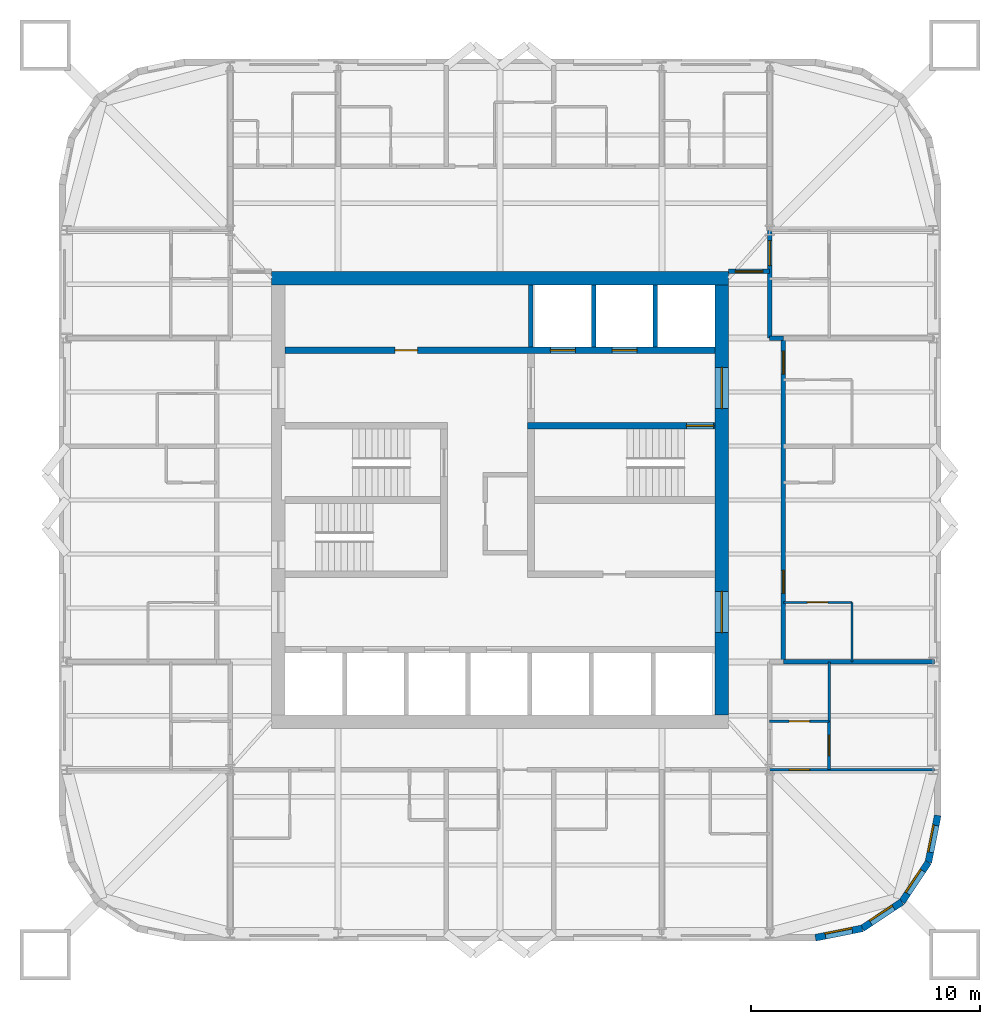
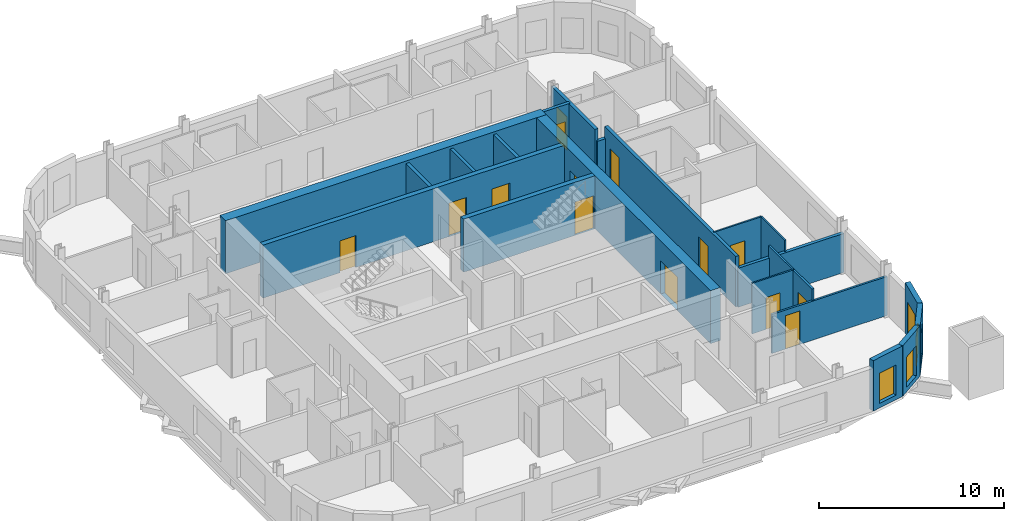
# One storey, part 5 of 9: 22 walls, 14 doors, 4 windows, 18 openings.
"""IFC4 building model written with IfcOpenShell, lengths in metres."""

from ifc_helpers import new_model, si_unit, direction, frame, frame_2d, origin, place, context, subcontext, project, spatial, rectangle, extrude, material, layer, layer_set, type_object, element, fill, save


model = new_model("IFC4")

# Units and contexts
model_context = context("Model", 3, precision=1e-05, world=origin(), true_north=direction((0.0, 1.0)))
body_context = subcontext(model_context, "Body", "Model", "MODEL_VIEW")
ifc_project = project(units=[si_unit("LENGTHUNIT", "METRE"), si_unit("AREAUNIT", "SQUARE_METRE"), si_unit("VOLUMEUNIT", "CUBIC_METRE"), si_unit("PLANEANGLEUNIT", "RADIAN"), si_unit("MASSUNIT", "GRAM", prefix="KILO")], contexts=[model_context])

# Site, building, storey
site_placement = place(None, origin())
site = spatial("IfcSite", under=ifc_project, at=site_placement, CompositionType="ELEMENT")
building_placement = place(site_placement, origin())
building = spatial("IfcBuilding", under=site, at=building_placement, Name="Turquesa Mirador Hotel Tower", CompositionType="ELEMENT")
storey_placement = place(building_placement, frame((0.0, 0.0, 189.800048828125)))
storey = spatial("IfcBuildingStorey", under=building, at=storey_placement, Name="L51", CompositionType="ELEMENT", Elevation=189.800048828125)

# Wall, opening, door
ifc_material_1 = material(Name="Gypsum board on steel studs", Category="steel")
ifc_layer_1 = layer(ifc_material_1, 0.10009765625)
ifc_layer_set_1 = layer_set([ifc_layer_1], Name="BATHROOM WALL 100")
wall_type_1 = type_object("IfcWallType", Name="BATHROOM WALL 100", PredefinedType="PARTITIONING", material=ifc_layer_set_1)
wall_1_placement = place(storey_placement, frame((67.39990234375, 40.52001953125, 0.0), z_axis=(0.0, 0.0, 1.0), x_axis=(1.0, 0.0, 0.0)))
wall_1 = element("IfcWall", 1, at=wall_1_placement, inside=storey, type_object=wall_type_1, Name="Partition L51 010", PredefinedType="PARTITIONING", context=body_context, shape_type="SweptSolid", body=[
    extrude(rectangle(XDim=3.0, YDim=0.10009765625, at=frame_2d((1.5, 0.0))), origin(), (0.0, 0.0, 1.0), 3.329833984375),
])
opening_1_placement = place(wall_1_placement, frame((1.050048828125, 0.0, 0.0)))
opening_1 = element("IfcOpeningElement", 2, at=opening_1_placement, cuts=wall_1, Name="Opening D02", PredefinedType="OPENING", context=body_context, shape_type="SweptSolid", body=[
    extrude(rectangle(XDim=0.89990234375, YDim=2.10009765625, at=frame_2d((0.449951171875, 1.050048828125))), frame((0.0, 0.06005859375, 0.0), z_axis=(0.0, -1.0, 0.0), x_axis=(1.0, 0.0, 0.0)), (0.0, 0.0, 1.0), 0.1201171875),
])
ifc_material_2 = material(Name="Timber veneered door", Category="wood")
door_type_1 = type_object("IfcDoorType", Name="DOOR 900X2100 EN-SUITE", OperationType="SINGLE_SWING_RIGHT", PredefinedType="DOOR", material=ifc_material_2)
door_1_placement = place(opening_1_placement, origin())
door_1 = element("IfcDoor", 3, at=door_1_placement, inside=storey, type_object=door_type_1, Name="Door 5110B", OperationType="SINGLE_SWING_RIGHT", OverallHeight=2.10009765625, OverallWidth=0.89990234375, PredefinedType="DOOR", context=body_context, shape_type="SweptSolid", body=[
    extrude(rectangle(XDim=0.89990234375, YDim=2.10009765625, at=frame_2d((0.449951171875, 1.050048828125))), frame((0.0, 0.02490234375, 0.0), z_axis=(0.0, -1.0, 0.0), x_axis=(1.0, 0.0, 0.0)), (0.0, 0.0, 1.0), 0.050048828125),
])
fill(opening_1, door_1)

wall_2_placement = place(storey_placement, frame((66.800048828125, 35.320068359375, 0.0), z_axis=(0.0, 0.0, 1.0), x_axis=(1.0, 0.0, 0.0)))
wall_2 = element("IfcWall", 4, at=wall_2_placement, inside=storey, type_object=wall_type_1, Name="Partition L51 016", PredefinedType="PARTITIONING", context=body_context, shape_type="SweptSolid", body=[
    extrude(rectangle(XDim=2.599853515625, YDim=0.10009765625, at=frame_2d((1.2998046875, 0.0))), origin(), (0.0, 0.0, 1.0), 3.329833984375),
])
opening_2_placement = place(wall_2_placement, frame((0.85009765625, 0.0, 0.0)))
opening_2 = element("IfcOpeningElement", 5, at=opening_2_placement, cuts=wall_2, Name="Opening D02", PredefinedType="OPENING", context=body_context, shape_type="SweptSolid", body=[
    extrude(rectangle(XDim=0.89990234375, YDim=2.10009765625, at=frame_2d((0.449951171875, 1.050048828125))), frame((0.0, 0.06005859375, 0.0), z_axis=(0.0, -1.0, 0.0), x_axis=(1.0, 0.0, 0.0)), (0.0, 0.0, 1.0), 0.1201171875),
])
door_2_placement = place(opening_2_placement, origin())
door_2 = element("IfcDoor", 6, at=door_2_placement, inside=storey, type_object=door_type_1, Name="Door 5117B", OperationType="SINGLE_SWING_RIGHT", OverallHeight=2.10009765625, OverallWidth=0.89990234375, PredefinedType="DOOR", context=body_context, shape_type="SweptSolid", body=[
    extrude(rectangle(XDim=0.89990234375, YDim=2.10009765625, at=frame_2d((0.449951171875, 1.050048828125))), frame((0.0, 0.02490234375, 0.0), z_axis=(0.0, -1.0, 0.0), x_axis=(1.0, 0.0, 0.0)), (0.0, 0.0, 1.0), 0.050048828125),
])
fill(opening_2, door_2)

# Walls
wall_3_placement = place(storey_placement, frame((69.39990234375, 35.320068359375, 0.0), z_axis=(0.0, 0.0, 1.0), x_axis=(0.0, 1.0, 0.0)))
element("IfcWall", 7, at=wall_3_placement, inside=storey, type_object=wall_type_1, Name="Partition L51 068", PredefinedType="PARTITIONING", context=body_context, shape_type="SweptSolid", body=[
    extrude(rectangle(XDim=2.599853515625, YDim=0.10009765625, at=frame_2d((1.2998046875, 0.0))), origin(), (0.0, 0.0, 1.0), 3.329833984375),
])
wall_4_placement = place(storey_placement, frame((70.39990234375, 37.919921875, 0.0), z_axis=(0.0, 0.0, 1.0), x_axis=(0.0, 1.0, 0.0)))
element("IfcWall", 8, at=wall_4_placement, inside=storey, type_object=wall_type_1, Name="Partition L51 073", PredefinedType="PARTITIONING", context=body_context, shape_type="SweptSolid", body=[
    extrude(rectangle(XDim=2.60009765625, YDim=0.10009765625, at=frame_2d((1.300048828125, 0.0))), origin(), (0.0, 0.0, 1.0), 3.329833984375),
])

# Wall, openings, doors
ifc_material_3 = material(Name="Concrete C50/60", Category="concrete")
ifc_layer_2 = layer(ifc_material_3, 0.300048828125)
ifc_layer_set_2 = layer_set([ifc_layer_2], Name="CORE INNER WALL 300")
wall_type_2 = type_object("IfcWallType", Name="CORE INNER WALL 300", PredefinedType="SHEAR", material=ifc_layer_set_2)
wall_5_placement = place(storey_placement, frame((45.60009765625, 51.550048828125, 0.0), z_axis=(0.0, 0.0, 1.0), x_axis=(1.0, 0.0, 0.0)))
wall_5 = element("IfcWall", 9, at=wall_5_placement, inside=storey, type_object=wall_type_2, Name="Core wall NL", PredefinedType="SHEAR", context=body_context, shape_type="SweptSolid", body=[
    extrude(rectangle(XDim=18.7998046875, YDim=0.300048828125, at=frame_2d((9.39990234375, 0.0))), origin(), (0.0, 0.0, 1.0), 3.5),
])
opening_3_placement = place(wall_5_placement, frame((4.800048828125, 0.0, 0.0)))
opening_3 = element("IfcOpeningElement", 10, at=opening_3_placement, cuts=wall_5, Name="Opening D05", PredefinedType="OPENING", context=body_context, shape_type="SweptSolid", body=[
    extrude(rectangle(XDim=1.0, YDim=2.10009765625, at=frame_2d((0.5, 1.050048828125))), frame((0.0, 0.159912109375, 0.0), z_axis=(0.0, -1.0, 0.0), x_axis=(1.0, 0.0, 0.0)), (0.0, 0.0, 1.0), 0.320068359375),
])
opening_4_placement = place(wall_5_placement, frame((11.60009765625, 0.0, 0.0)))
opening_4 = element("IfcOpeningElement", 11, at=opening_4_placement, cuts=wall_5, Name="Opening LD", PredefinedType="OPENING", context=body_context, shape_type="SweptSolid", body=[
    extrude(rectangle(XDim=1.10009765625, YDim=2.199951171875, at=frame_2d((0.550048828125, 1.10009765625))), frame((0.0, 0.159912109375, 0.0), z_axis=(0.0, -1.0, 0.0), x_axis=(1.0, 0.0, 0.0)), (0.0, 0.0, 1.0), 0.320068359375),
])
opening_5_placement = place(wall_5_placement, frame((14.300048828125, 0.0, 0.0)))
opening_5 = element("IfcOpeningElement", 12, at=opening_5_placement, cuts=wall_5, Name="Opening LD", PredefinedType="OPENING", context=body_context, shape_type="SweptSolid", body=[
    extrude(rectangle(XDim=1.10009765625, YDim=2.199951171875, at=frame_2d((0.550048828125, 1.10009765625))), frame((0.0, 0.159912109375, 0.0), z_axis=(0.0, -1.0, 0.0), x_axis=(1.0, 0.0, 0.0)), (0.0, 0.0, 1.0), 0.320068359375),
])
ifc_material_4 = material(Name="Steel fire door", Category="steel")
door_type_2 = type_object("IfcDoorType", Name="DOOR 1000X2100 SERVICE", OperationType="SINGLE_SWING_LEFT", PredefinedType="DOOR", material=ifc_material_4)
door_3_placement = place(opening_3_placement, origin())
door_3 = element("IfcDoor", 13, at=door_3_placement, inside=storey, type_object=door_type_2, Name="Linen store door", OperationType="SINGLE_SWING_LEFT", OverallHeight=2.10009765625, OverallWidth=1.0, PredefinedType="DOOR", context=body_context, shape_type="SweptSolid", body=[
    extrude(rectangle(XDim=1.0, YDim=2.10009765625, at=frame_2d((0.5, 1.050048828125))), frame((0.0, 0.02490234375, 0.0), z_axis=(0.0, -1.0, 0.0), x_axis=(1.0, 0.0, 0.0)), (0.0, 0.0, 1.0), 0.050048828125),
])
fill(opening_3, door_3)
ifc_material_5 = material(Name="Stainless steel lift landing door", Category="steel")
door_type_3 = type_object("IfcDoorType", Name="LIFT LANDING DOOR 1100X2200", OperationType="SLIDING_TO_LEFT", PredefinedType="DOOR", material=ifc_material_5)
door_4_placement = place(opening_4_placement, origin())
door_4 = element("IfcDoor", 14, at=door_4_placement, inside=storey, type_object=door_type_3, Name="Lift S1 landing door", OperationType="SLIDING_TO_LEFT", OverallHeight=2.199951171875, OverallWidth=1.10009765625, PredefinedType="DOOR", context=body_context, shape_type="SweptSolid", body=[
    extrude(rectangle(XDim=1.10009765625, YDim=2.199951171875, at=frame_2d((0.550048828125, 1.10009765625))), frame((0.0, 0.02490234375, 0.0), z_axis=(0.0, -1.0, 0.0), x_axis=(1.0, 0.0, 0.0)), (0.0, 0.0, 1.0), 0.050048828125),
])
fill(opening_4, door_4)
door_5_placement = place(opening_5_placement, origin())
door_5 = element("IfcDoor", 15, at=door_5_placement, inside=storey, type_object=door_type_3, Name="Lift S2 landing door", OperationType="SLIDING_TO_LEFT", OverallHeight=2.199951171875, OverallWidth=1.10009765625, PredefinedType="DOOR", context=body_context, shape_type="SweptSolid", body=[
    extrude(rectangle(XDim=1.10009765625, YDim=2.199951171875, at=frame_2d((0.550048828125, 1.10009765625))), frame((0.0, 0.02490234375, 0.0), z_axis=(0.0, -1.0, 0.0), x_axis=(1.0, 0.0, 0.0)), (0.0, 0.0, 1.0), 0.050048828125),
])
fill(opening_5, door_5)

# Wall, opening, door
wall_6_placement = place(storey_placement, frame((56.199951171875, 48.25, 0.0), z_axis=(0.0, 0.0, 1.0), x_axis=(1.0, 0.0, 0.0)))
wall_6 = element("IfcWall", 16, at=wall_6_placement, inside=storey, type_object=wall_type_2, Name="Core wall MN-E", PredefinedType="SHEAR", context=body_context, shape_type="SweptSolid", body=[
    extrude(rectangle(XDim=8.199951171875, YDim=0.300048828125, at=frame_2d((4.10009765625, 0.0))), origin(), (0.0, 0.0, 1.0), 3.5),
])
opening_6_placement = place(wall_6_placement, frame((6.949951171875, 0.0, 0.0)))
opening_6 = element("IfcOpeningElement", 17, at=opening_6_placement, cuts=wall_6, Name="Opening D03", PredefinedType="OPENING", context=body_context, shape_type="SweptSolid", body=[
    extrude(rectangle(XDim=1.199951171875, YDim=2.199951171875, at=frame_2d((0.60009765625, 1.10009765625))), frame((0.0, 0.159912109375, 0.0), z_axis=(0.0, -1.0, 0.0), x_axis=(1.0, 0.0, 0.0)), (0.0, 0.0, 1.0), 0.320068359375),
])
ifc_material_6 = material(Name="Steel fire door", Category="steel")
door_type_4 = type_object("IfcDoorType", Name="DOOR 1200X2200 STAIR", OperationType="SINGLE_SWING_LEFT", PredefinedType="DOOR", material=ifc_material_6)
door_6_placement = place(opening_6_placement, origin())
door_6 = element("IfcDoor", 18, at=door_6_placement, inside=storey, type_object=door_type_4, Name="Stair ST3 door", OperationType="SINGLE_SWING_LEFT", OverallHeight=2.199951171875, OverallWidth=1.199951171875, PredefinedType="DOOR", context=body_context, shape_type="SweptSolid", body=[
    extrude(rectangle(XDim=1.199951171875, YDim=2.199951171875, at=frame_2d((0.60009765625, 1.10009765625))), frame((0.0, 0.02490234375, 0.0), z_axis=(0.0, -1.0, 0.0), x_axis=(1.0, 0.0, 0.0)), (0.0, 0.0, 1.0), 0.050048828125),
])
fill(opening_6, door_6)

# Wall
ifc_material_7 = material(Name="Concrete C50/60", Category="concrete")
ifc_layer_3 = layer(ifc_material_7, 0.60009765625)
ifc_layer_set_3 = layer_set([ifc_layer_3], Name="CORE WALL 600")
wall_type_3 = type_object("IfcWallType", Name="CORE WALL 600", PredefinedType="SHEAR", material=ifc_layer_set_3)
wall_7_placement = place(storey_placement, frame((45.0, 54.699951171875, 0.0), z_axis=(0.0, 0.0, 1.0), x_axis=(1.0, 0.0, 0.0)))
element("IfcWall", 19, at=wall_7_placement, inside=storey, type_object=wall_type_3, Name="Core wall N", PredefinedType="SHEAR", context=body_context, shape_type="SweptSolid", body=[
    extrude(rectangle(XDim=20.0, YDim=0.60009765625, at=frame_2d((10.0, 0.0))), origin(), (0.0, 0.0, 1.0), 3.5),
])

# Wall, openings, doors
wall_8_placement = place(storey_placement, frame((64.699951171875, 35.60009765625, 0.0), z_axis=(0.0, 0.0, 1.0), x_axis=(0.0, 1.0, 0.0)))
wall_8 = element("IfcWall", 20, at=wall_8_placement, inside=storey, type_object=wall_type_3, Name="Core wall E", PredefinedType="SHEAR", context=body_context, shape_type="SweptSolid", body=[
    extrude(rectangle(XDim=18.7998046875, YDim=0.60009765625, at=frame_2d((9.39990234375, 0.0))), origin(), (0.0, 0.0, 1.0), 3.5),
])
opening_7_placement = place(wall_8_placement, frame((13.39990234375, 0.0, 0.0)))
opening_7 = element("IfcOpeningElement", 21, at=opening_7_placement, cuts=wall_8, Name="Opening D04", PredefinedType="OPENING", context=body_context, shape_type="SweptSolid", body=[
    extrude(rectangle(XDim=1.800048828125, YDim=2.199951171875, at=frame_2d((0.89990234375, 1.10009765625))), frame((0.0, 0.31005859375, 0.0), z_axis=(0.0, -1.0, 0.0), x_axis=(1.0, 0.0, 0.0)), (0.0, 0.0, 1.0), 0.6201171875),
])
opening_8_placement = place(wall_8_placement, frame((3.60009765625, 0.0, 0.0)))
opening_8 = element("IfcOpeningElement", 22, at=opening_8_placement, cuts=wall_8, Name="Opening D04", PredefinedType="OPENING", context=body_context, shape_type="SweptSolid", body=[
    extrude(rectangle(XDim=1.800048828125, YDim=2.199951171875, at=frame_2d((0.89990234375, 1.10009765625))), frame((0.0, 0.31005859375, 0.0), z_axis=(0.0, -1.0, 0.0), x_axis=(1.0, 0.0, 0.0)), (0.0, 0.0, 1.0), 0.6201171875),
])
ifc_material_8 = material(Name="Steel fire door pair", Category="steel")
door_type_5 = type_object("IfcDoorType", Name="DOOR 1800X2200 PAIR", OperationType="DOUBLE_DOOR_SINGLE_SWING", PredefinedType="DOOR", material=ifc_material_8)
door_7_placement = place(opening_7_placement, origin())
door_7 = element("IfcDoor", 23, at=door_7_placement, inside=storey, type_object=door_type_5, Name="Firefighting lobby door", OperationType="DOUBLE_DOOR_SINGLE_SWING", OverallHeight=2.199951171875, OverallWidth=1.800048828125, PredefinedType="DOOR", context=body_context, shape_type="SweptSolid", body=[
    extrude(rectangle(XDim=1.800048828125, YDim=2.199951171875, at=frame_2d((0.89990234375, 1.10009765625))), frame((0.0, 0.02490234375, 0.0), z_axis=(0.0, -1.0, 0.0), x_axis=(1.0, 0.0, 0.0)), (0.0, 0.0, 1.0), 0.050048828125),
])
fill(opening_7, door_7)
door_8_placement = place(opening_8_placement, origin())
door_8 = element("IfcDoor", 24, at=door_8_placement, inside=storey, type_object=door_type_5, Name="South lift lobby door", OperationType="DOUBLE_DOOR_SINGLE_SWING", OverallHeight=2.199951171875, OverallWidth=1.800048828125, PredefinedType="DOOR", context=body_context, shape_type="SweptSolid", body=[
    extrude(rectangle(XDim=1.800048828125, YDim=2.199951171875, at=frame_2d((0.89990234375, 1.10009765625))), frame((0.0, 0.02490234375, 0.0), z_axis=(0.0, -1.0, 0.0), x_axis=(1.0, 0.0, 0.0)), (0.0, 0.0, 1.0), 0.050048828125),
])
fill(opening_8, door_8)

# Wall, opening, door
ifc_material_9 = material(Name="Fire-rated gypsum board on steel studs", Category="steel")
ifc_layer_4 = layer(ifc_material_9, 0.199951171875)
ifc_layer_set_4 = layer_set([ifc_layer_4], Name="CORRIDOR WALL 200")
wall_type_4 = type_object("IfcWallType", Name="CORRIDOR WALL 200", PredefinedType="PARTITIONING", material=ifc_layer_set_4)
wall_9_placement = place(storey_placement, frame((65.0, 55.0, 0.0), z_axis=(0.0, 0.0, 1.0), x_axis=(1.0, 0.0, 0.0)))
wall_9 = element("IfcWall", 25, at=wall_9_placement, inside=storey, type_object=wall_type_4, Name="Partition L51 020", PredefinedType="PARTITIONING", context=body_context, shape_type="SweptSolid", body=[
    extrude(rectangle(XDim=1.800048828125, YDim=0.199951171875, at=frame_2d((0.89990234375, 0.0))), origin(), (0.0, 0.0, 1.0), 3.329833984375),
])
opening_9_placement = place(wall_9_placement, frame((0.300048828125, 0.0, 0.0)))
opening_9 = element("IfcOpeningElement", 26, at=opening_9_placement, cuts=wall_9, Name="Opening D19", PredefinedType="OPENING", context=body_context, shape_type="SweptSolid", body=[
    extrude(rectangle(XDim=1.199951171875, YDim=2.199951171875, at=frame_2d((0.60009765625, 1.10009765625))), frame((0.0, 0.10986328125, 0.0), z_axis=(0.0, -1.0, 0.0), x_axis=(1.0, 0.0, 0.0)), (0.0, 0.0, 1.0), 0.219970703125),
])
ifc_material_10 = material(Name="Steel glazed fire door", Category="steel")
door_type_6 = type_object("IfcDoorType", Name="DOOR 1200X2200 FIRE DOOR GLAZED", OperationType="SINGLE_SWING_LEFT", PredefinedType="DOOR", material=ifc_material_10)
door_9_placement = place(opening_9_placement, origin())
door_9 = element("IfcDoor", 27, at=door_9_placement, inside=storey, type_object=door_type_6, Name="Door L51-C03-1", OperationType="SINGLE_SWING_LEFT", OverallHeight=2.199951171875, OverallWidth=1.199951171875, PredefinedType="DOOR", context=body_context, shape_type="SweptSolid", body=[
    extrude(rectangle(XDim=1.199951171875, YDim=2.199951171875, at=frame_2d((0.60009765625, 1.10009765625))), frame((0.0, 0.02490234375, 0.0), z_axis=(0.0, -1.0, 0.0), x_axis=(1.0, 0.0, 0.0)), (0.0, 0.0, 1.0), 0.050048828125),
])
fill(opening_9, door_9)

# Wall
wall_10_placement = place(storey_placement, frame((66.800048828125, 52.080078125, 0.0), z_axis=(0.0, 0.0, 1.0), x_axis=(1.0, 0.0, 0.0)))
element("IfcWall", 28, at=wall_10_placement, inside=storey, type_object=wall_type_4, Name="Partition L51 036", PredefinedType="PARTITIONING", context=body_context, shape_type="SweptSolid", body=[
    extrude(rectangle(XDim=0.599853515625, YDim=0.199951171875, at=frame_2d((0.2998046875, 0.0))), origin(), (0.0, 0.0, 1.0), 2.572998046875),
])

# Wall, opening, door
wall_11_placement = place(storey_placement, frame((66.800048828125, 52.080078125, 0.0), z_axis=(0.0, 0.0, 1.0), x_axis=(0.0, 1.0, 0.0)))
wall_11 = element("IfcWall", 29, at=wall_11_placement, inside=storey, type_object=wall_type_4, Name="Partition L51 064", PredefinedType="PARTITIONING", context=body_context, shape_type="SweptSolid", body=[
    extrude(rectangle(XDim=4.699951171875, YDim=0.199951171875, at=frame_2d((2.35009765625, 0.0))), origin(), (0.0, 0.0, 1.0), 3.329833984375),
])
opening_10_placement = place(wall_11_placement, frame((3.169921875, 0.0, 0.0)))
opening_10 = element("IfcOpeningElement", 30, at=opening_10_placement, cuts=wall_11, Name="Opening D15", PredefinedType="OPENING", context=body_context, shape_type="SweptSolid", body=[
    extrude(rectangle(XDim=1.10009765625, YDim=2.199951171875, at=frame_2d((0.550048828125, 1.10009765625))), frame((0.0, 0.10986328125, 0.0), z_axis=(0.0, -1.0, 0.0), x_axis=(1.0, 0.0, 0.0)), (0.0, 0.0, 1.0), 0.219970703125),
])
ifc_material_11 = material(Name="Timber veneered fire door", Category="wood")
door_type_7 = type_object("IfcDoorType", Name="DOOR 1100X2200 SUITE ENTRY", OperationType="SINGLE_SWING_LEFT", PredefinedType="DOOR", material=ifc_material_11)
door_10_placement = place(opening_10_placement, origin())
door_10 = element("IfcDoor", 31, at=door_10_placement, inside=storey, type_object=door_type_7, Name="Door 5114H", OperationType="SINGLE_SWING_LEFT", OverallHeight=2.199951171875, OverallWidth=1.10009765625, PredefinedType="DOOR", context=body_context, shape_type="SweptSolid", body=[
    extrude(rectangle(XDim=1.10009765625, YDim=2.199951171875, at=frame_2d((0.550048828125, 1.10009765625))), frame((0.0, 0.02490234375, 0.0), z_axis=(0.0, -1.0, 0.0), x_axis=(1.0, 0.0, 0.0)), (0.0, 0.0, 1.0), 0.050048828125),
])
fill(opening_10, door_10)

# Wall, openings, doors
wall_12_placement = place(storey_placement, frame((67.39990234375, 37.919921875, 0.0), z_axis=(0.0, 0.0, 1.0), x_axis=(0.0, 1.0, 0.0)))
wall_12 = element("IfcWall", 32, at=wall_12_placement, inside=storey, type_object=wall_type_4, Name="Partition L51 067", PredefinedType="PARTITIONING", context=body_context, shape_type="SweptSolid", body=[
    extrude(rectangle(XDim=14.16015625, YDim=0.199951171875, at=frame_2d((7.080078125, 0.0))), origin(), (0.0, 0.0, 1.0), 3.329833984375),
])
opening_11_placement = place(wall_12_placement, frame((3.0, 0.0, 0.0)))
opening_11 = element("IfcOpeningElement", 33, at=opening_11_placement, cuts=wall_12, Name="Opening D01", PredefinedType="OPENING", context=body_context, shape_type="SweptSolid", body=[
    extrude(rectangle(XDim=1.0, YDim=2.199951171875, at=frame_2d((0.5, 1.10009765625))), frame((0.0, 0.10986328125, 0.0), z_axis=(0.0, -1.0, 0.0), x_axis=(1.0, 0.0, 0.0)), (0.0, 0.0, 1.0), 0.219970703125),
])
opening_12_placement = place(wall_12_placement, frame((12.590087890625, 0.0, 0.0)))
opening_12 = element("IfcOpeningElement", 34, at=opening_12_placement, cuts=wall_12, Name="Opening D01", PredefinedType="OPENING", context=body_context, shape_type="SweptSolid", body=[
    extrude(rectangle(XDim=1.0, YDim=2.199951171875, at=frame_2d((0.5, 1.10009765625))), frame((0.0, 0.10986328125, 0.0), z_axis=(0.0, -1.0, 0.0), x_axis=(1.0, 0.0, 0.0)), (0.0, 0.0, 1.0), 0.219970703125),
])
ifc_material_12 = material(Name="Timber veneered fire door", Category="wood")
door_type_8 = type_object("IfcDoorType", Name="DOOR 1000X2200 GUEST ENTRY", OperationType="SINGLE_SWING_LEFT", PredefinedType="DOOR", material=ifc_material_12)
door_11_placement = place(opening_11_placement, origin())
door_11 = element("IfcDoor", 35, at=door_11_placement, inside=storey, type_object=door_type_8, Name="Door 5110", OperationType="SINGLE_SWING_LEFT", OverallHeight=2.199951171875, OverallWidth=1.0, PredefinedType="DOOR", context=body_context, shape_type="SweptSolid", body=[
    extrude(rectangle(XDim=1.0, YDim=2.199951171875, at=frame_2d((0.5, 1.10009765625))), frame((0.0, 0.02490234375, 0.0), z_axis=(0.0, -1.0, 0.0), x_axis=(1.0, 0.0, 0.0)), (0.0, 0.0, 1.0), 0.050048828125),
])
fill(opening_11, door_11)
door_12_placement = place(opening_12_placement, origin())
door_12 = element("IfcDoor", 36, at=door_12_placement, inside=storey, type_object=door_type_8, Name="Door 5111", OperationType="SINGLE_SWING_LEFT", OverallHeight=2.199951171875, OverallWidth=1.0, PredefinedType="DOOR", context=body_context, shape_type="SweptSolid", body=[
    extrude(rectangle(XDim=1.0, YDim=2.199951171875, at=frame_2d((0.5, 1.10009765625))), frame((0.0, 0.02490234375, 0.0), z_axis=(0.0, -1.0, 0.0), x_axis=(1.0, 0.0, 0.0)), (0.0, 0.0, 1.0), 0.050048828125),
])
fill(opening_12, door_12)

# Wall, opening, window
ifc_material_13 = material(Name="Limestone cladding on concrete block", Category="masonry")
ifc_layer_5 = layer(ifc_material_13, 0.300048828125)
ifc_layer_set_5 = layer_set([ifc_layer_5], Name="FACADE WALL 300 STONE SCREEN")
wall_type_5 = type_object("IfcWallType", Name="FACADE WALL 300 STONE SCREEN", PredefinedType="SOLIDWALL", material=ifc_layer_set_5)
wall_13_placement = place(storey_placement, frame((68.800048828125, 25.85009765625, 0.0), z_axis=(0.0, 0.0, 1.0), x_axis=(0.980787050784, 0.195081421501, 0.0)))
wall_13 = element("IfcWall", 37, at=wall_13_placement, inside=storey, type_object=wall_type_5, Name="Facade wall L51 00", PredefinedType="SOLIDWALL", context=body_context, shape_type="SweptSolid", body=[
    extrude(rectangle(XDim=2.08740234375, YDim=0.300048828125, at=frame_2d((1.043701171875, 0.0))), origin(), (0.0, 0.0, 1.0), 3.329833984375),
])
opening_13_placement = place(wall_13_placement, frame((0.443603515625, 0.0, 0.300048828125)))
opening_13 = element("IfcOpeningElement", 38, at=opening_13_placement, cuts=wall_13, Name="Opening WN4", PredefinedType="OPENING", context=body_context, shape_type="SweptSolid", body=[
    extrude(rectangle(XDim=1.199951171875, YDim=2.0, at=frame_2d((0.60009765625, 1.0))), frame((0.0, 0.159912109375, 0.0), z_axis=(0.0, -1.0, 0.0), x_axis=(1.0, 0.0, 0.0)), (0.0, 0.0, 1.0), 0.320068359375),
])
ifc_material_14 = material(Name="Ceramic-fritted laminated glass", Category="glass")
window_type = type_object("IfcWindowType", Name="FRITTED CORNER WINDOW 1200X2000", PartitioningType="DOUBLE_PANEL_HORIZONTAL", PredefinedType="WINDOW", material=ifc_material_14)
window_1_placement = place(opening_13_placement, origin())
window_1 = element("IfcWindow", 39, at=window_1_placement, inside=storey, type_object=window_type, Name="Window L51", OverallHeight=2.0, OverallWidth=1.199951171875, PartitioningType="SINGLE_PANEL", PredefinedType="WINDOW", context=body_context, shape_type="SweptSolid", body=[
    extrude(rectangle(XDim=1.199951171875, YDim=2.0, at=frame_2d((0.60009765625, 1.0))), frame((0.0, 0.130126953125, 0.0), z_axis=(0.0, -1.0, 0.0), x_axis=(1.0, 0.0, 0.0)), (0.0, 0.0, 1.0), 0.06005859375),
])
fill(opening_13, window_1)

wall_14_placement = place(storey_placement, frame((70.847412109375, 26.25732421875, 0.0), z_axis=(0.0, 0.0, 1.0), x_axis=(0.831474039234, 0.555563607591, 0.0)))
wall_14 = element("IfcWall", 40, at=wall_14_placement, inside=storey, type_object=wall_type_5, Name="Facade wall L51 01", PredefinedType="SOLIDWALL", context=body_context, shape_type="SweptSolid", body=[
    extrude(rectangle(XDim=2.08740234375, YDim=0.300048828125, at=frame_2d((1.043701171875, 0.0))), origin(), (0.0, 0.0, 1.0), 3.329833984375),
])
opening_14_placement = place(wall_14_placement, frame((0.443603515625, 0.0, 0.300048828125)))
opening_14 = element("IfcOpeningElement", 41, at=opening_14_placement, cuts=wall_14, Name="Opening WN4", PredefinedType="OPENING", context=body_context, shape_type="SweptSolid", body=[
    extrude(rectangle(XDim=1.199951171875, YDim=2.0, at=frame_2d((0.60009765625, 1.0))), frame((0.0, 0.159912109375, 0.0), z_axis=(0.0, -1.0, 0.0), x_axis=(1.0, 0.0, 0.0)), (0.0, 0.0, 1.0), 0.320068359375),
])
window_2_placement = place(opening_14_placement, origin())
window_2 = element("IfcWindow", 42, at=window_2_placement, inside=storey, type_object=window_type, Name="Window L51", OverallHeight=2.0, OverallWidth=1.199951171875, PartitioningType="SINGLE_PANEL", PredefinedType="WINDOW", context=body_context, shape_type="SweptSolid", body=[
    extrude(rectangle(XDim=1.199951171875, YDim=2.0, at=frame_2d((0.60009765625, 1.0))), frame((0.0, 0.130126953125, 0.0), z_axis=(0.0, -1.0, 0.0), x_axis=(1.0, 0.0, 0.0)), (0.0, 0.0, 1.0), 0.06005859375),
])
fill(opening_14, window_2)

wall_15_placement = place(storey_placement, frame((72.5830078125, 27.4169921875, 0.0), z_axis=(0.0, 0.0, 1.0), x_axis=(0.555563607591, 0.831474039234, 0.0)))
wall_15 = element("IfcWall", 43, at=wall_15_placement, inside=storey, type_object=wall_type_5, Name="Facade wall L51 02", PredefinedType="SOLIDWALL", context=body_context, shape_type="SweptSolid", body=[
    extrude(rectangle(XDim=2.08740234375, YDim=0.300048828125, at=frame_2d((1.043701171875, 0.0))), origin(), (0.0, 0.0, 1.0), 3.329833984375),
])
opening_15_placement = place(wall_15_placement, frame((0.443603515625, 0.0, 0.300048828125)))
opening_15 = element("IfcOpeningElement", 44, at=opening_15_placement, cuts=wall_15, Name="Opening WN4", PredefinedType="OPENING", context=body_context, shape_type="SweptSolid", body=[
    extrude(rectangle(XDim=1.199951171875, YDim=2.0, at=frame_2d((0.60009765625, 1.0))), frame((0.0, 0.159912109375, 0.0), z_axis=(0.0, -1.0, 0.0), x_axis=(1.0, 0.0, 0.0)), (0.0, 0.0, 1.0), 0.320068359375),
])
window_3_placement = place(opening_15_placement, origin())
window_3 = element("IfcWindow", 45, at=window_3_placement, inside=storey, type_object=window_type, Name="Window L51", OverallHeight=2.0, OverallWidth=1.199951171875, PartitioningType="SINGLE_PANEL", PredefinedType="WINDOW", context=body_context, shape_type="SweptSolid", body=[
    extrude(rectangle(XDim=1.199951171875, YDim=2.0, at=frame_2d((0.60009765625, 1.0))), frame((0.0, 0.130126953125, 0.0), z_axis=(0.0, -1.0, 0.0), x_axis=(1.0, 0.0, 0.0)), (0.0, 0.0, 1.0), 0.06005859375),
])
fill(opening_15, window_3)

wall_16_placement = place(storey_placement, frame((73.74267578125, 29.152587890625, 0.0), z_axis=(0.0, 0.0, 1.0), x_axis=(0.195081421501, 0.980787050784, 0.0)))
wall_16 = element("IfcWall", 46, at=wall_16_placement, inside=storey, type_object=wall_type_5, Name="Facade wall L51 03", PredefinedType="SOLIDWALL", context=body_context, shape_type="SweptSolid", body=[
    extrude(rectangle(XDim=2.08740234375, YDim=0.300048828125, at=frame_2d((1.043701171875, 0.0))), origin(), (0.0, 0.0, 1.0), 3.329833984375),
])
opening_16_placement = place(wall_16_placement, frame((0.443603515625, 0.0, 0.300048828125)))
opening_16 = element("IfcOpeningElement", 47, at=opening_16_placement, cuts=wall_16, Name="Opening WN4", PredefinedType="OPENING", context=body_context, shape_type="SweptSolid", body=[
    extrude(rectangle(XDim=1.199951171875, YDim=2.0, at=frame_2d((0.60009765625, 1.0))), frame((0.0, 0.159912109375, 0.0), z_axis=(0.0, -1.0, 0.0), x_axis=(1.0, 0.0, 0.0)), (0.0, 0.0, 1.0), 0.320068359375),
])
window_4_placement = place(opening_16_placement, origin())
window_4 = element("IfcWindow", 48, at=window_4_placement, inside=storey, type_object=window_type, Name="Window L51", OverallHeight=2.0, OverallWidth=1.199951171875, PartitioningType="SINGLE_PANEL", PredefinedType="WINDOW", context=body_context, shape_type="SweptSolid", body=[
    extrude(rectangle(XDim=1.199951171875, YDim=2.0, at=frame_2d((0.60009765625, 1.0))), frame((0.0, 0.130126953125, 0.0), z_axis=(0.0, -1.0, 0.0), x_axis=(1.0, 0.0, 0.0)), (0.0, 0.0, 1.0), 0.06005859375),
])
fill(opening_16, window_4)

# Walls
ifc_material_15 = material(Name="Fire-rated gypsum shaft wall on steel studs", Category="steel")
ifc_layer_6 = layer(ifc_material_15, 0.199951171875)
ifc_layer_set_6 = layer_set([ifc_layer_6], Name="LIFT SHAFT DIVIDER 200")
wall_type_6 = type_object("IfcWallType", Name="LIFT SHAFT DIVIDER 200", PredefinedType="PARTITIONING", material=ifc_layer_set_6)
for number, where, z_axis, x_axis, name in (
    (49, (59.10009765625, 51.699951171875, 0.0), (0.0, 0.0, 1.0), (0.0, 1.0, 0.0), "Lift shaft divider"),
    (50, (61.800048828125, 51.699951171875, 0.0), (0.0, 0.0, 1.0), (0.0, 1.0, 0.0), "Lift shaft divider"),
    (51, (56.35009765625, 51.699951171875, 0.0), (0.0, 0.0, 1.0), (0.0, 1.0, 0.0), "Lift shaft divider"),
):
    element("IfcWall", number, at=place(storey_placement, frame(where, z_axis=z_axis, x_axis=x_axis)), inside=storey, type_object=wall_type_6, Name=name, PredefinedType="PARTITIONING", context=body_context, shape_type="SweptSolid", body=[
        extrude(rectangle(XDim=2.699951171875, YDim=0.199951171875, at=frame_2d((1.35009765625, 0.0))), origin(), (0.0, 0.0, 1.0), 3.329833984375),
    ])
ifc_material_16 = material(Name="Fire-rated gypsum board on steel studs", Category="steel")
ifc_layer_7 = layer(ifc_material_16, 0.199951171875)
ifc_layer_set_7 = layer_set([ifc_layer_7], Name="PARTY WALL 200")
wall_type_7 = type_object("IfcWallType", Name="PARTY WALL 200", PredefinedType="PARTITIONING", material=ifc_layer_set_7)
wall_17_placement = place(storey_placement, frame((67.39990234375, 37.919921875, 0.0), z_axis=(0.0, 0.0, 1.0), x_axis=(1.0, 0.0, 0.0)))
element("IfcWall", 52, at=wall_17_placement, inside=storey, type_object=wall_type_7, Name="Partition L51 014", PredefinedType="PARTITIONING", context=body_context, shape_type="SweptSolid", body=[
    extrude(rectangle(XDim=6.60009765625, YDim=0.199951171875, at=frame_2d((3.300048828125, 0.0))), origin(), (0.0, 0.0, 1.0), 2.572998046875),
])

# Wall, opening, door
ifc_material_17 = material(Name="Acoustic gypsum board on steel studs", Category="steel")
ifc_layer_8 = layer(ifc_material_17, 0.125)
ifc_layer_set_8 = layer_set([ifc_layer_8], Name="SUITE PARTITION 125")
wall_type_8 = type_object("IfcWallType", Name="SUITE PARTITION 125", PredefinedType="PARTITIONING", material=ifc_layer_set_8)
wall_18_placement = place(storey_placement, frame((66.800048828125, 33.199951171875, 0.0), z_axis=(0.0, 0.0, 1.0), x_axis=(1.0, 0.0, 0.0)))
wall_18 = element("IfcWall", 53, at=wall_18_placement, inside=storey, type_object=wall_type_8, Name="Partition L51 003", PredefinedType="PARTITIONING", context=body_context, shape_type="SweptSolid", body=[
    extrude(rectangle(XDim=7.199951171875, YDim=0.125, at=frame_2d((3.60009765625, 0.0))), origin(), (0.0, 0.0, 1.0), 2.572998046875),
])
opening_17_placement = place(wall_18_placement, frame((0.85009765625, 0.0, 0.0)))
opening_17 = element("IfcOpeningElement", 54, at=opening_17_placement, cuts=wall_18, Name="Opening D17", PredefinedType="OPENING", context=body_context, shape_type="SweptSolid", body=[
    extrude(rectangle(XDim=0.89990234375, YDim=2.199951171875, at=frame_2d((0.449951171875, 1.10009765625))), frame((0.0, 0.072509765625, 0.0), z_axis=(0.0, -1.0, 0.0), x_axis=(1.0, 0.0, 0.0)), (0.0, 0.0, 1.0), 0.14501953125),
])
ifc_material_18 = material(Name="Timber veneered door", Category="wood")
door_type_9 = type_object("IfcDoorType", Name="DOOR 900X2200 SUITE INTERNAL", OperationType="SINGLE_SWING_LEFT", PredefinedType="DOOR", material=ifc_material_18)
door_13_placement = place(opening_17_placement, origin())
door_13 = element("IfcDoor", 55, at=door_13_placement, inside=storey, type_object=door_type_9, Name="Door 5117", OperationType="SINGLE_SWING_LEFT", OverallHeight=2.199951171875, OverallWidth=0.89990234375, PredefinedType="DOOR", context=body_context, shape_type="SweptSolid", body=[
    extrude(rectangle(XDim=0.89990234375, YDim=2.199951171875, at=frame_2d((0.449951171875, 1.10009765625))), frame((0.0, 0.02490234375, 0.0), z_axis=(0.0, -1.0, 0.0), x_axis=(1.0, 0.0, 0.0)), (0.0, 0.0, 1.0), 0.050048828125),
])
fill(opening_17, door_13)

wall_19_placement = place(storey_placement, frame((69.39990234375, 33.199951171875, 0.0), z_axis=(0.0, 0.0, 1.0), x_axis=(0.0, 1.0, 0.0)))
wall_19 = element("IfcWall", 56, at=wall_19_placement, inside=storey, type_object=wall_type_8, Name="Partition L51 070", PredefinedType="PARTITIONING", context=body_context, shape_type="SweptSolid", body=[
    extrude(rectangle(XDim=2.1201171875, YDim=0.125, at=frame_2d((1.06005859375, 0.0))), origin(), (0.0, 0.0, 1.0), 3.329833984375),
])
opening_18_placement = place(wall_19_placement, frame((0.610107421875, 0.0, 0.0)))
opening_18 = element("IfcOpeningElement", 57, at=opening_18_placement, cuts=wall_19, Name="Opening D17", PredefinedType="OPENING", context=body_context, shape_type="SweptSolid", body=[
    extrude(rectangle(XDim=0.89990234375, YDim=2.199951171875, at=frame_2d((0.449951171875, 1.10009765625))), frame((0.0, 0.072509765625, 0.0), z_axis=(0.0, -1.0, 0.0), x_axis=(1.0, 0.0, 0.0)), (0.0, 0.0, 1.0), 0.14501953125),
])
door_14_placement = place(opening_18_placement, origin())
door_14 = element("IfcDoor", 58, at=door_14_placement, inside=storey, type_object=door_type_9, Name="Door 5117R", OperationType="SINGLE_SWING_LEFT", OverallHeight=2.199951171875, OverallWidth=0.89990234375, PredefinedType="DOOR", context=body_context, shape_type="SweptSolid", body=[
    extrude(rectangle(XDim=0.89990234375, YDim=2.199951171875, at=frame_2d((0.449951171875, 1.10009765625))), frame((0.0, 0.02490234375, 0.0), z_axis=(0.0, -1.0, 0.0), x_axis=(1.0, 0.0, 0.0)), (0.0, 0.0, 1.0), 0.050048828125),
])
fill(opening_18, door_14)

save(model, "model.ifc")
